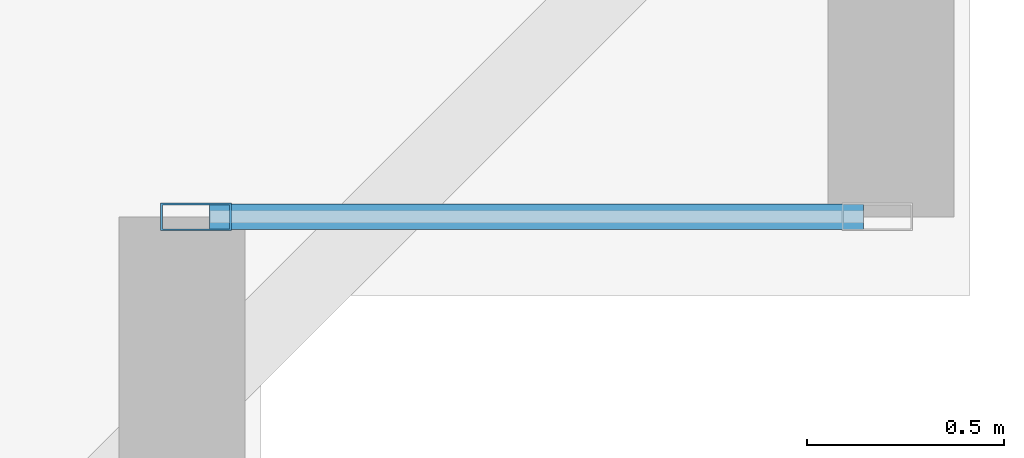
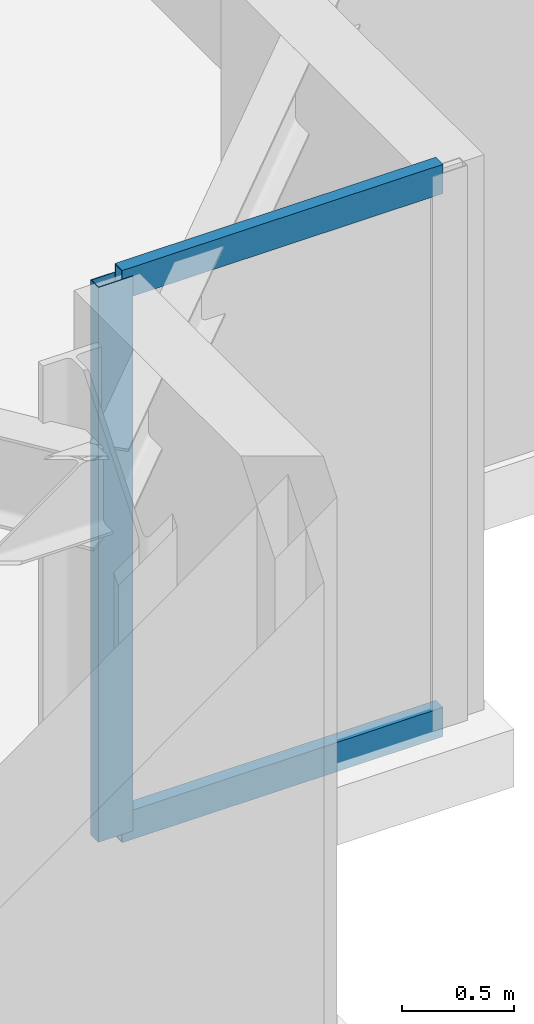
# One storey, part 10 of 24: 3 members, 1 element without a shape of its own.
"""IFC4 building model written with IfcOpenShell, lengths in metres."""

import ifcopenshell
import ifcopenshell.guid

model = None  # the IFC model being written
_history = None  # IfcOwnerHistory: only IFC2X3 demands one
_inside = {}  # id of a spatial element -> (the spatial element, [elements in it])
_under = {}  # id of a project, library or spatial element -> (it, [spatial elements below it])
_declared = {}  # id of a project -> (the project, [libraries it declares])
_typed = {}  # id of a type object -> (the type object, [elements of that type])
_made_of = {}  # id of a material, layer set ... -> (it, [elements and type objects made of it])


def new_model(schema):
    """Start an empty IFC model of exactly this schema.

    Asked for "IFC4X3", IfcOpenShell would pick the latest addendum, in which some entities
    have other attributes; the version numbers below select the first issue.
    IFC2X3 requires an IfcOwnerHistory on every rooted entity: one is made here for all.
    """
    global model, _history
    if schema == "IFC4X3":
        model = ifcopenshell.file(schema_version=(4, 3, 0, 0))
    else:
        model = ifcopenshell.file(schema=schema)
    _inside.clear()
    _under.clear()
    _declared.clear()
    _typed.clear()
    _made_of.clear()
    _history = None
    if model.schema == "IFC2X3":
        org = make("IfcOrganization", Name="unknown")
        user = make(
            "IfcPersonAndOrganization",
            ThePerson=make("IfcPerson", FamilyName="unknown"),
            TheOrganization=org,
        )
        app = make(
            "IfcApplication",
            ApplicationDeveloper=org,
            Version="unknown",
            ApplicationFullName="unknown",
            ApplicationIdentifier="unknown",
        )
        _history = make(
            "IfcOwnerHistory",
            OwningUser=user,
            OwningApplication=app,
            ChangeAction="ADDED",
            CreationDate=0,
        )
    return model


def make(cls, **values):
    """One entity of the class cls with the attributes given. An attribute that is None is left unset."""
    return model.create_entity(
        cls, **{name: value for name, value in values.items() if value is not None}
    )


def rooted(cls, **values):
    """An entity with a GlobalId (a new one), such as an element, a storey or a relation."""
    return make(cls, GlobalId=ifcopenshell.guid.new(), OwnerHistory=_history, **values)


def si_unit(unit_type, name, prefix=None):
    """IfcSIUnit, for example si_unit("LENGTHUNIT", "METRE", prefix="MILLI")."""
    return make("IfcSIUnit", UnitType=unit_type, Prefix=prefix, Name=name)


def assignment(units):
    """IfcUnitAssignment: the units of a project."""
    return None if units is None else make("IfcUnitAssignment", Units=units)


def point(xyz):
    """IfcCartesianPoint."""
    return None if xyz is None else make("IfcCartesianPoint", Coordinates=xyz)


def direction(xyz):
    """IfcDirection."""
    return None if xyz is None else make("IfcDirection", DirectionRatios=xyz)


def frame(location, z_axis=None, x_axis=None):
    """IfcAxis2Placement3D, a coordinate frame: its origin and axes. An axis left out is left unset."""
    return make(
        "IfcAxis2Placement3D",
        Location=point(location),
        Axis=direction(z_axis),
        RefDirection=direction(x_axis),
    )


def frame_2d(location, x_axis=None):
    """IfcAxis2Placement2D, a coordinate frame in the plane: its origin and x axis."""
    return make(
        "IfcAxis2Placement2D", Location=point(location), RefDirection=direction(x_axis)
    )


def origin():
    """The frame at (0, 0, 0) with its axes left unset."""
    return frame((0.0, 0.0, 0.0))


def origin_2d():
    """The frame at (0, 0) in the plane with its x axis left unset."""
    return frame_2d((0.0, 0.0))


def place(relative_to, where):
    """IfcLocalPlacement: puts the frame where relative to a parent placement (None: the world)."""
    return make(
        "IfcLocalPlacement", PlacementRelTo=relative_to, RelativePlacement=where
    )


def context(
    kind, dimensions, precision=None, world=None, true_north=None, identifier=None
):
    """IfcGeometricRepresentationContext, for example the 3D "Model" context."""
    return make(
        "IfcGeometricRepresentationContext",
        ContextIdentifier=identifier,
        ContextType=kind,
        CoordinateSpaceDimension=dimensions,
        Precision=precision,
        WorldCoordinateSystem=world,
        TrueNorth=true_north,
    )


def subcontext(parent, identifier, kind, view, scale=None):
    """IfcGeometricRepresentationSubContext, for example "Body" below "Model"."""
    return make(
        "IfcGeometricRepresentationSubContext",
        ContextIdentifier=identifier,
        ContextType=kind,
        ParentContext=parent,
        TargetScale=scale,
        TargetView=view,
    )


def project(units=None, contexts=None):
    """IfcProject with its units and contexts."""
    return rooted(
        "IfcProject",
        Name="project",
        RepresentationContexts=contexts,
        UnitsInContext=assignment(units),
    )


def spatial(cls, under=None, at=None, **own):
    """A site, building, storey or space (cls), placed at a placement, below another one or the project."""
    s = rooted(cls, ObjectPlacement=at, **own)
    if under is not None:
        _under.setdefault(under.id(), (under, []))[1].append(s)
    return s


def profile(cls, at=None, kind="AREA", **sizes):
    """A parametric profile (cls). Its sizes go by their IFC names, for example OverallWidth=200.0."""
    return make(cls, ProfileType=kind, Position=at, **sizes)


def hollow_rectangle(**sizes):
    """IfcRectangleHollowProfileDef."""
    return profile("IfcRectangleHollowProfileDef", **sizes)


def extrude(swept, where, along, depth):
    """IfcExtrudedAreaSolid: the profile swept, set in the frame where, extruded along a direction by depth."""
    return make(
        "IfcExtrudedAreaSolid",
        SweptArea=swept,
        Position=where,
        ExtrudedDirection=direction(along),
        Depth=depth,
    )


def shape(context_of_items, identifier, shape_type, items):
    """IfcShapeRepresentation: the items that make up one representation, for example the "Body"."""
    return make(
        "IfcShapeRepresentation",
        ContextOfItems=context_of_items,
        RepresentationIdentifier=identifier,
        RepresentationType=shape_type,
        Items=items,
    )


def material(Name=None, Category=None):
    """IfcMaterial."""
    return make("IfcMaterial", Name=Name, Category=Category)


def layer(
    of_material, thickness, ventilated=None, Name=None, Category=None, Priority=None
):
    """IfcMaterialLayer: one layer of a wall or slab, of a material (None: an air gap)."""
    return make(
        "IfcMaterialLayer",
        Material=of_material,
        LayerThickness=thickness,
        IsVentilated=ventilated,
        Name=Name,
        Category=Category,
        Priority=Priority,
    )


def layer_set(layers, Name=None):
    """IfcMaterialLayerSet."""
    return make("IfcMaterialLayerSet", MaterialLayers=layers, LayerSetName=Name)


def material_profile(
    of_material, cross_section, Name=None, Category=None, Priority=None
):
    """IfcMaterialProfile: a cross section and its material."""
    return make(
        "IfcMaterialProfile",
        Name=Name,
        Material=of_material,
        Profile=cross_section,
        Priority=Priority,
        Category=Category,
    )


def profile_set(profiles, Name=None, composite=None):
    """IfcMaterialProfileSet."""
    return make(
        "IfcMaterialProfileSet",
        Name=Name,
        MaterialProfiles=profiles,
        CompositeProfile=composite,
    )


def made_of(thing, what):
    """Note that an element or type object is made of a material, layer set ...; save() writes the relation."""
    if what is not None:
        _made_of.setdefault(what.id(), (what, []))[1].append(thing)
    return thing


def type_object(cls, material=None, **own):
    """A type object (cls), such as IfcWallType, which elements share."""
    return made_of(rooted(cls, **own), material)


def element(
    cls,
    number,
    at=None,
    inside=None,
    cuts=None,
    type_object=None,
    material=None,
    context=None,
    identifier="Body",
    shape_type=None,
    held_by="IfcProductDefinitionShape",
    body=None,
    shapes=None,
    **own,
):
    """One element of the class cls, such as IfcWall. Its Tag is "e" and its number.

    at: its placement. inside: the storey or other place that contains it. cuts: it is an
    opening in that element (IfcRelVoidsElement). A single representation is given by context,
    identifier, shape_type and body (its items); several are given by shapes. held_by: the class
    of the entity that holds the representations. save() writes the other relations.
    """
    e = rooted(cls, Tag="e%d" % number, ObjectPlacement=at, **own)
    if body is not None:
        shapes = [shape(context, identifier, shape_type, body)]
    if shapes is not None:
        e.Representation = make(held_by, Representations=shapes)
    if inside is not None:
        _inside.setdefault(inside.id(), (inside, []))[1].append(e)
    if cuts is not None:
        rooted(
            "IfcRelVoidsElement", RelatingBuildingElement=cuts, RelatedOpeningElement=e
        )
    if type_object is not None:
        _typed.setdefault(type_object.id(), (type_object, []))[1].append(e)
    return made_of(e, material)


def aggregate(whole, parts):
    """IfcRelAggregates: a whole, such as a stair, and the parts it consists of."""
    return rooted("IfcRelAggregates", RelatingObject=whole, RelatedObjects=parts)


def save(model, path):
    """Write the relations noted so far, then the file.

    IfcRelAggregates (storeys below a building ...), IfcRelContainedInSpatialStructure (elements
    in a storey), IfcRelDefinesByType, IfcRelAssociatesMaterial and IfcRelDeclares: one each for
    every whole, place, type object, material and project.
    """
    for whole, parts in _under.values():
        aggregate(whole, parts)
    for where, things in _inside.values():
        rooted(
            "IfcRelContainedInSpatialStructure",
            RelatedElements=things,
            RelatingStructure=where,
        )
    for kind, things in _typed.values():
        rooted("IfcRelDefinesByType", RelatedObjects=things, RelatingType=kind)
    for what, things in _made_of.values():
        rooted("IfcRelAssociatesMaterial", RelatedObjects=things, RelatingMaterial=what)
    for by, libraries in _declared.values():
        rooted("IfcRelDeclares", RelatingContext=by, RelatedDefinitions=libraries)
    model.write(path)


model = new_model("IFC4")

# Units and contexts
model_context = context("Model", 3, precision=1e-05, world=origin(), true_north=direction((0.0, 1.0)))
body_context = subcontext(model_context, "Body", "Model", "MODEL_VIEW")
ifc_project = project(units=[si_unit("LENGTHUNIT", "METRE"), si_unit("AREAUNIT", "SQUARE_METRE"), si_unit("VOLUMEUNIT", "CUBIC_METRE"), si_unit("PLANEANGLEUNIT", "RADIAN"), si_unit("MASSUNIT", "GRAM", prefix="KILO")], contexts=[model_context])

# Site, building, storey
site_placement = place(None, origin())
site = spatial("IfcSite", under=ifc_project, at=site_placement, CompositionType="ELEMENT")
building_placement = place(site_placement, origin())
building = spatial("IfcBuilding", under=site, at=building_placement, Name="Qobustan Lattice House", CompositionType="ELEMENT")
storey_placement = place(building_placement, frame((0.0, 0.0, 43.75)))
storey = spatial("IfcBuildingStorey", under=building, at=storey_placement, Name="L11", CompositionType="ELEMENT", Elevation=43.75)

# Curtain wall, members
ifc_material_1 = material(Name="Anodised aluminium and low-E glazing", Category="aluminium")
ifc_layer = layer(ifc_material_1, 0.219970703125)
ifc_layer_set = layer_set([ifc_layer], Name="Anodised aluminium and low-E glazing")
curtain_wall_type = type_object("IfcCurtainWallType", Name="CW-FAC-01", PredefinedType="USERDEFINED", material=ifc_layer_set)
curtain_wall_placement = place(storey_placement, origin())
curtain_wall = element("IfcCurtainWall", 1, at=curtain_wall_placement, inside=storey, type_object=curtain_wall_type, Name="L11 serrated corner faceted glazing 18", ObjectType="CURTAIN WALL", PredefinedType="USERDEFINED")
ifc_material_2 = material(Name="Anodised aluminium EN AW-6063 T6", Category="aluminium")
ifc_material_profile_1 = material_profile(ifc_material_2, hollow_rectangle(XDim=0.070068359375, YDim=0.179931640625, WallThickness=0.00439453125, at=origin_2d()), Name="CWM-180x70")
ifc_profile_set_1 = profile_set([ifc_material_profile_1], Name="Anodised aluminium EN AW-6063 T6")
member_type_1 = type_object("IfcMemberType", Name="CWM-STD-180", PredefinedType="MULLION", material=ifc_profile_set_1)
member_1_placement = place(storey_placement, frame((29.235107421875, -17.60009765625, 0.0), z_axis=(0.0, 0.0, 1.0), x_axis=(0.0, -1.0, 0.0)))
member_1 = element("IfcMember", 2, at=member_1_placement, type_object=member_type_1, Name="CW-F1 mullion 2", PredefinedType="MULLION", context=body_context, shape_type="SweptSolid", body=[
    extrude(hollow_rectangle(XDim=0.070068359375, YDim=0.179931640625, WallThickness=0.00439453125, at=origin_2d()), origin(), (0.0, 0.0, 1.0), 3.034912109375),
])
ifc_material_3 = material(Name="Anodised aluminium EN AW-6063 T6", Category="aluminium")
ifc_material_profile_2 = material_profile(ifc_material_3, hollow_rectangle(XDim=0.06494140625, YDim=0.159912109375, WallThickness=0.00390625, at=origin_2d()), Name="CWT-160x65")
ifc_profile_set_2 = profile_set([ifc_material_profile_2], Name="Anodised aluminium EN AW-6063 T6")
member_type_2 = type_object("IfcMemberType", Name="CWT-HOR-160", PredefinedType="USERDEFINED", material=ifc_profile_set_2)
member_2_placement = place(storey_placement, frame((30.929931640625, -17.60009765625, 0.032470703125), z_axis=(-1.0, 0.0, 0.0), x_axis=(0.0, -1.0, 0.0)))
member_2 = element("IfcMember", 3, at=member_2_placement, type_object=member_type_2, Name="CW-F1 transom 1.1", ObjectType="TRANSOM", PredefinedType="USERDEFINED", context=body_context, shape_type="SweptSolid", body=[
    extrude(hollow_rectangle(XDim=0.06494140625, YDim=0.159912109375, WallThickness=0.00390625, at=origin_2d()), origin(), (0.0, 0.0, 1.0), 1.659912109375),
])
member_3_placement = place(storey_placement, frame((30.929931640625, -17.60009765625, 3.00244140625), z_axis=(-1.0, 0.0, 0.0), x_axis=(0.0, -1.0, 0.0)))
member_3 = element("IfcMember", 4, at=member_3_placement, type_object=member_type_2, Name="CW-F1 transom 1.2", ObjectType="TRANSOM", PredefinedType="USERDEFINED", context=body_context, shape_type="SweptSolid", body=[
    extrude(hollow_rectangle(XDim=0.06494140625, YDim=0.159912109375, WallThickness=0.00390625, at=origin_2d()), origin(), (0.0, 0.0, 1.0), 1.659912109375),
])
aggregate(curtain_wall, [member_1, member_2, member_3])

save(model, "model.ifc")
